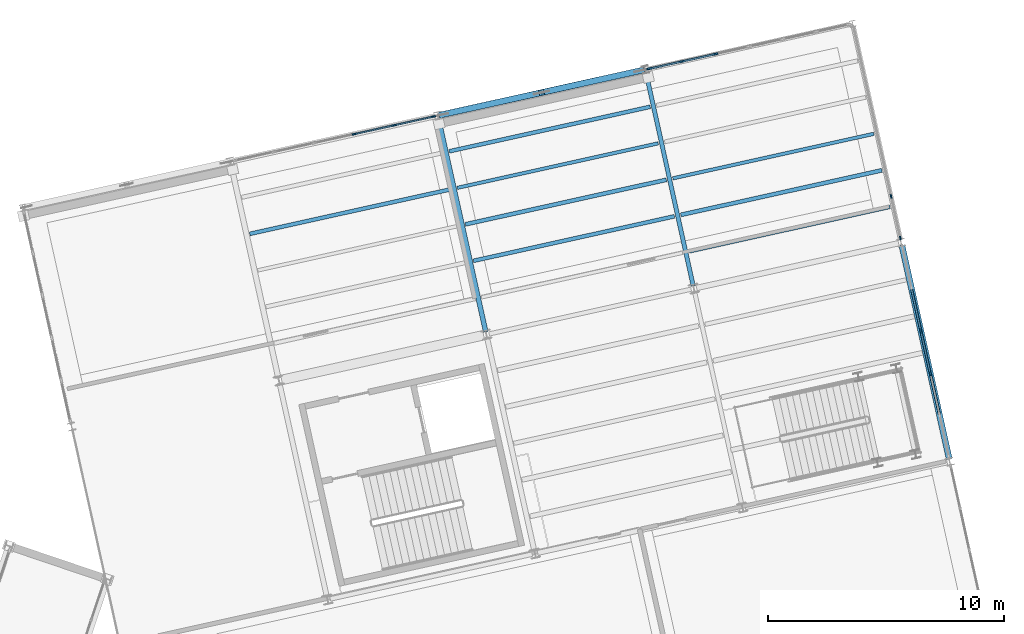
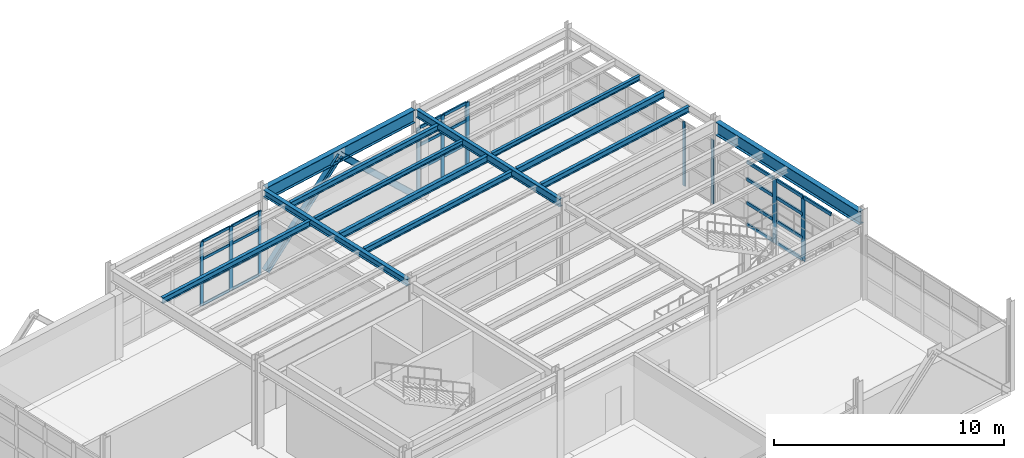
# One storey, part 57 of 102: 37 members, 12 beams, 4 elements without a shape of their own.
"""IFC4 building model written with IfcOpenShell, lengths in metres."""

from ifc_helpers import new_model, si_unit, direction, frame, origin, origin_2d, place, context, subcontext, project, spatial, rectangle, i_section, extrude, material, layer, layer_set, material_profile, profile_set, type_object, element, aggregate, save


model = new_model("IFC4")

# Units and contexts
model_context = context("Model", 3, precision=1e-05, world=origin(), true_north=direction((0.0, 1.0)))
body_context = subcontext(model_context, "Body", "Model", "MODEL_VIEW")
ifc_project = project(units=[si_unit("LENGTHUNIT", "METRE"), si_unit("AREAUNIT", "SQUARE_METRE"), si_unit("VOLUMEUNIT", "CUBIC_METRE"), si_unit("PLANEANGLEUNIT", "RADIAN"), si_unit("MASSUNIT", "GRAM", prefix="KILO")], contexts=[model_context])

# Site, building, storey
site_placement = place(None, origin())
site = spatial("IfcSite", under=ifc_project, at=site_placement, CompositionType="ELEMENT")
building_placement = place(site_placement, origin())
building = spatial("IfcBuilding", under=site, at=building_placement, Name="Vireo Bluff Cable Station", CompositionType="ELEMENT")
storey_placement = place(building_placement, frame((0.0, 0.0, 9.60009765625)))
storey = spatial("IfcBuildingStorey", under=building, at=storey_placement, Name="L02", CompositionType="ELEMENT", Elevation=9.60009765625)

# Beams
ifc_material_1 = material(Name="Steel ASTM A992 Gr. 50", Category="steel")
ifc_material_profile_1 = material_profile(ifc_material_1, i_section(OverallWidth=0.2041015625, OverallDepth=0.35009765625, WebThickness=0.008544921875, FlangeThickness=0.01513671875, FilletRadius=0.010009765625, at=origin_2d()), Name="W14X48")
ifc_profile_set_1 = profile_set([ifc_material_profile_1], Name="Steel ASTM A992 Gr. 50")
beam_type_1 = type_object("IfcBeamType", Name="BM-W14X48", PredefinedType="BEAM", material=ifc_profile_set_1)
beam_1_placement = place(storey_placement, frame((139.43505859375, 96.562744140625, 4.364990234375), z_axis=(-0.216455863908, 0.976292404447, 0.0), x_axis=(-0.976292404447, -0.216455863908, 0.0)))
element("IfcBeam", 1, at=beam_1_placement, inside=storey, type_object=beam_type_1, Name="V2 L02 beam 536", PredefinedType="BEAM", context=body_context, shape_type="SweptSolid", body=[
    extrude(i_section(OverallWidth=0.2041015625, OverallDepth=0.35009765625, WebThickness=0.008544921875, FlangeThickness=0.01513671875, FilletRadius=0.010009765625, at=origin_2d()), origin(), (0.0, 0.0, 1.0), 9.260009765625),
])
ifc_material_profile_2 = material_profile(ifc_material_1, i_section(OverallWidth=0.180908203125, OverallDepth=0.4169921875, WebThickness=0.010986328125, FlangeThickness=0.018310546875, FilletRadius=0.010009765625, at=origin_2d()), Name="W16X57")
ifc_profile_set_2 = profile_set([ifc_material_profile_2], Name="Steel ASTM A992 Gr. 50")
beam_type_2 = type_object("IfcBeamType", Name="BM-W16X57", PredefinedType="BEAM", material=ifc_profile_set_2)
beam_2_placement = place(storey_placement, frame((148.2216796875, 98.5107421875, 4.331298828125), z_axis=(-0.216430734067, 0.976297975698, 0.0), x_axis=(-0.976297975698, -0.216430734067, 0.0)))
element("IfcBeam", 2, at=beam_2_placement, inside=storey, type_object=beam_type_2, Name="V2 L02 beam 538", PredefinedType="BEAM", context=body_context, shape_type="SweptSolid", body=[
    extrude(i_section(OverallWidth=0.180908203125, OverallDepth=0.4169921875, WebThickness=0.010986328125, FlangeThickness=0.018310546875, FilletRadius=0.010009765625, at=origin_2d()), origin(), (0.0, 0.0, 1.0), 9.260009765625),
])

# Members
ifc_material_profile_3 = material_profile(ifc_material_1, i_section(OverallWidth=0.25390625, OverallDepth=0.305908203125, WebThickness=0.0087890625, FlangeThickness=0.0146484375, FilletRadius=0.010986328125, at=origin_2d()), Name="W12X53")
ifc_profile_set_3 = profile_set([ifc_material_profile_3], Name="Steel ASTM A992 Gr. 50")
member_type_1 = type_object("IfcMemberType", Name="BRC-04", PredefinedType="BRACE", material=ifc_profile_set_3)
member_1_placement = place(storey_placement, frame((137.56103515625, 105.7548828125, 0.039794921875), z_axis=(0.706412402312, 0.156627768603, 0.690253040531), x_axis=(-0.216465840429, 0.976290192477, 0.0)))
element("IfcMember", 3, at=member_1_placement, inside=storey, type_object=member_type_1, Name="V2 L02 concentric brace 39L", PredefinedType="BRACE", context=body_context, shape_type="SweptSolid", body=[
    extrude(i_section(OverallWidth=0.25390625, OverallDepth=0.305908203125, WebThickness=0.0087890625, FlangeThickness=0.0146484375, FilletRadius=0.010986328125, at=origin_2d()), origin(), (0.0, 0.0, 1.0), 5.998046875),
])
ifc_material_profile_4 = material_profile(ifc_material_1, i_section(OverallWidth=0.25390625, OverallDepth=0.31005859375, WebThickness=0.009033203125, FlangeThickness=0.016357421875, FilletRadius=0.010986328125, at=origin_2d()), Name="W12X58")
ifc_profile_set_4 = profile_set([ifc_material_profile_4], Name="Steel ASTM A992 Gr. 50")
member_type_2 = type_object("IfcMemberType", Name="BRC-05", PredefinedType="BRACE", material=ifc_profile_set_4)
member_2_placement = place(storey_placement, frame((146.03515625, 107.6337890625, 0.039794921875), z_axis=(-0.706412402312, -0.156627768603, 0.690253040531), x_axis=(0.216465840429, -0.976290192477, 0.0)))
element("IfcMember", 4, at=member_2_placement, inside=storey, type_object=member_type_2, Name="V2 L02 concentric brace 40R", PredefinedType="BRACE", context=body_context, shape_type="SweptSolid", body=[
    extrude(i_section(OverallWidth=0.25390625, OverallDepth=0.31005859375, WebThickness=0.009033203125, FlangeThickness=0.016357421875, FilletRadius=0.010986328125, at=origin_2d()), origin(), (0.0, 0.0, 1.0), 5.998046875),
])

# Curtain wall, members
ifc_material_2 = material(Name="Anodized Aluminium 6063-T6", Category="aluminium")
ifc_layer_1 = layer(ifc_material_2, 0.179931640625, Name="Anodized Aluminium 6063-T6")
ifc_layer_set_1 = layer_set([ifc_layer_1], Name="Anodized Aluminium 6063-T6")
curtain_wall_type_1 = type_object("IfcCurtainWallType", Name="CW-UNIT-1650", PredefinedType="USERDEFINED", material=ifc_layer_set_1)
curtain_wall_1_placement = place(storey_placement, origin())
curtain_wall_1 = element("IfcCurtainWall", 5, at=curtain_wall_1_placement, inside=storey, type_object=curtain_wall_type_1, Name="V2 L02 north curtain wall CW-056", ObjectType="UNITISED CURTAIN WALL", PredefinedType="USERDEFINED")
ifc_material_profile_5 = material_profile(ifc_material_2, rectangle(XDim=0.06494140625, YDim=0.179931640625, at=origin_2d()), Name="ALU-M-65X180")
ifc_profile_set_5 = profile_set([ifc_material_profile_5], Name="Anodized Aluminium 6063-T6")
member_type_3 = type_object("IfcMemberType", Name="CWM-01", PredefinedType="MULLION", material=ifc_profile_set_5)
member_3_placement = place(storey_placement, frame((133.8603515625, 104.9345703125, 0.0), z_axis=(0.0, 0.0, 1.0), x_axis=(-0.216439604447, 0.976296009224, 0.0)))
member_3 = element("IfcMember", 6, at=member_3_placement, type_object=member_type_3, Name="CW-056 mullion 4", PredefinedType="MULLION", context=body_context, shape_type="SweptSolid", body=[
    extrude(rectangle(XDim=0.06494140625, YDim=0.179931640625, at=origin_2d()), origin(), (0.0, 0.0, 1.0), 3.39990234375),
])
member_4_placement = place(storey_placement, frame((135.55615234375, 105.310546875, 0.0), z_axis=(0.0, 0.0, 1.0), x_axis=(-0.216439604447, 0.976296009224, 0.0)))
member_4 = element("IfcMember", 7, at=member_4_placement, type_object=member_type_3, Name="CW-056 mullion 5", PredefinedType="MULLION", context=body_context, shape_type="SweptSolid", body=[
    extrude(rectangle(XDim=0.06494140625, YDim=0.179931640625, at=origin_2d()), origin(), (0.0, 0.0, 1.0), 3.39990234375),
])
member_5_placement = place(storey_placement, frame((137.22021484375, 105.679443359375, 0.0), z_axis=(0.0, 0.0, 1.0), x_axis=(-0.216439604447, 0.976296009224, 0.0)))
member_5 = element("IfcMember", 8, at=member_5_placement, type_object=member_type_3, Name="CW-056 mullion 6", PredefinedType="MULLION", context=body_context, shape_type="SweptSolid", body=[
    extrude(rectangle(XDim=0.06494140625, YDim=0.179931640625, at=origin_2d()), origin(), (0.0, 0.0, 1.0), 3.39990234375),
])

ifc_layer_2 = layer(ifc_material_2, 0.179931640625, Name="Anodized Aluminium 6063-T6")
ifc_layer_set_2 = layer_set([ifc_layer_2], Name="Anodized Aluminium 6063-T6")
curtain_wall_type_2 = type_object("IfcCurtainWallType", Name="CW-UNIT-1400", PredefinedType="USERDEFINED", material=ifc_layer_set_2)
curtain_wall_2_placement = place(storey_placement, origin())
curtain_wall_2 = element("IfcCurtainWall", 9, at=curtain_wall_2_placement, inside=storey, type_object=curtain_wall_type_2, Name="V2 L02 north curtain wall CW-057", ObjectType="UNITISED CURTAIN WALL", PredefinedType="USERDEFINED")
ifc_material_profile_6 = material_profile(ifc_material_2, rectangle(XDim=0.074951171875, YDim=0.2099609375, at=origin_2d()), Name="ALU-M-75X210")
ifc_profile_set_6 = profile_set([ifc_material_profile_6], Name="Anodized Aluminium 6063-T6")
member_type_4 = type_object("IfcMemberType", Name="CWM-02", PredefinedType="MULLION", material=ifc_profile_set_6)
member_6_placement = place(storey_placement, frame((146.35400390625, 107.704345703125, 0.0), z_axis=(0.0, 0.0, 1.0), x_axis=(-0.216439615489, 0.976296006776, 0.0)))
member_6 = element("IfcMember", 10, at=member_6_placement, type_object=member_type_4, Name="CW-057 mullion 1", PredefinedType="MULLION", context=body_context, shape_type="SweptSolid", body=[
    extrude(rectangle(XDim=0.074951171875, YDim=0.2099609375, at=origin_2d()), origin(), (0.0, 0.0, 1.0), 3.39990234375),
])
member_7_placement = place(storey_placement, frame((147.73974609375, 108.011474609375, 0.0), z_axis=(0.0, 0.0, 1.0), x_axis=(-0.216439615489, 0.976296006776, 0.0)))
member_7 = element("IfcMember", 11, at=member_7_placement, type_object=member_type_4, Name="CW-057 mullion 2", PredefinedType="MULLION", context=body_context, shape_type="SweptSolid", body=[
    extrude(rectangle(XDim=0.074951171875, YDim=0.2099609375, at=origin_2d()), origin(), (0.0, 0.0, 1.0), 3.39990234375),
])
member_8_placement = place(storey_placement, frame((149.162109375, 108.326904296875, 0.0), z_axis=(0.0, 0.0, 1.0), x_axis=(-0.216439615489, 0.976296006776, 0.0)))
member_8 = element("IfcMember", 12, at=member_8_placement, type_object=member_type_4, Name="CW-057 mullion 3", PredefinedType="MULLION", context=body_context, shape_type="SweptSolid", body=[
    extrude(rectangle(XDim=0.074951171875, YDim=0.2099609375, at=origin_2d()), origin(), (0.0, 0.0, 1.0), 3.39990234375),
])

ifc_layer_3 = layer(ifc_material_2, 0.159912109375, Name="Anodized Aluminium 6063-T6")
ifc_layer_set_3 = layer_set([ifc_layer_3], Name="Anodized Aluminium 6063-T6")
curtain_wall_type_3 = type_object("IfcCurtainWallType", Name="CW-STICK-1750", PredefinedType="USERDEFINED", material=ifc_layer_set_3)
curtain_wall_3_placement = place(storey_placement, origin())
curtain_wall_3 = element("IfcCurtainWall", 13, at=curtain_wall_3_placement, inside=storey, type_object=curtain_wall_type_3, Name="V2 L02 east curtain wall CW-058", ObjectType="STICK CURTAIN WALL", PredefinedType="USERDEFINED")
ifc_material_profile_7 = material_profile(ifc_material_2, rectangle(XDim=0.06005859375, YDim=0.159912109375, at=origin_2d()), Name="ALU-M-60X160")
ifc_profile_set_7 = profile_set([ifc_material_profile_7], Name="Anodized Aluminium 6063-T6")
member_type_5 = type_object("IfcMemberType", Name="CWM-03", PredefinedType="MULLION", material=ifc_profile_set_7)
member_9_placement = place(storey_placement, frame((156.600341796875, 102.298828125, 0.0), z_axis=(0.0, 0.0, 1.0), x_axis=(0.976295990219, 0.216439690173, 0.0)))
member_9 = element("IfcMember", 14, at=member_9_placement, type_object=member_type_5, Name="CW-058 mullion 5", PredefinedType="MULLION", context=body_context, shape_type="SweptSolid", body=[
    extrude(rectangle(XDim=0.06005859375, YDim=0.159912109375, at=origin_2d()), origin(), (0.0, 0.0, 1.0), 3.39990234375),
])
member_10_placement = place(storey_placement, frame((156.992431640625, 100.5302734375, 0.0), z_axis=(0.0, 0.0, 1.0), x_axis=(0.976295990219, 0.216439690173, 0.0)))
member_10 = element("IfcMember", 15, at=member_10_placement, type_object=member_type_5, Name="CW-058 mullion 6", PredefinedType="MULLION", context=body_context, shape_type="SweptSolid", body=[
    extrude(rectangle(XDim=0.06005859375, YDim=0.159912109375, at=origin_2d()), origin(), (0.0, 0.0, 1.0), 3.39990234375),
])
aggregate(curtain_wall_3, [member_9, member_10])

ifc_layer_4 = layer(ifc_material_2, 0.159912109375, Name="Anodized Aluminium 6063-T6")
ifc_layer_set_4 = layer_set([ifc_layer_4], Name="Anodized Aluminium 6063-T6")
curtain_wall_type_4 = type_object("IfcCurtainWallType", Name="CW-STICK-1850", PredefinedType="USERDEFINED", material=ifc_layer_set_4)
curtain_wall_4_placement = place(storey_placement, origin())
curtain_wall_4 = element("IfcCurtainWall", 16, at=curtain_wall_4_placement, inside=storey, type_object=curtain_wall_type_4, Name="V2 L02 east curtain wall CW-059", ObjectType="STICK CURTAIN WALL", PredefinedType="USERDEFINED")
ifc_material_profile_8 = material_profile(ifc_material_2, rectangle(XDim=0.080078125, YDim=0.239990234375, at=origin_2d()), Name="ALU-M-80X240")
ifc_profile_set_8 = profile_set([ifc_material_profile_8], Name="Anodized Aluminium 6063-T6")
member_type_6 = type_object("IfcMemberType", Name="CWM-04", PredefinedType="MULLION", material=ifc_profile_set_8)
member_11_placement = place(storey_placement, frame((157.86376953125, 96.599609375, 0.0), z_axis=(0.0, 0.0, 1.0), x_axis=(0.976295996018, 0.216439664017, 0.0)))
member_11 = element("IfcMember", 17, at=member_11_placement, type_object=member_type_6, Name="CW-059 mullion 3", PredefinedType="MULLION", context=body_context, shape_type="SweptSolid", body=[
    extrude(rectangle(XDim=0.080078125, YDim=0.239990234375, at=origin_2d()), origin(), (0.0, 0.0, 1.0), 3.39990234375),
])
member_12_placement = place(storey_placement, frame((158.260986328125, 94.80859375, 0.0), z_axis=(0.0, 0.0, 1.0), x_axis=(0.976295996018, 0.216439664017, 0.0)))
member_12 = element("IfcMember", 18, at=member_12_placement, type_object=member_type_6, Name="CW-059 mullion 4", PredefinedType="MULLION", context=body_context, shape_type="SweptSolid", body=[
    extrude(rectangle(XDim=0.080078125, YDim=0.239990234375, at=origin_2d()), origin(), (0.0, 0.0, 1.0), 3.39990234375),
])

# Member
ifc_material_profile_9 = material_profile(ifc_material_2, rectangle(XDim=0.06494140625, YDim=0.139892578125, at=origin_2d()), Name="ALU-T-65X140")
ifc_profile_set_9 = profile_set([ifc_material_profile_9], Name="Anodized Aluminium 6063-T6")
member_type_7 = type_object("IfcMemberType", Name="CWT-01", PredefinedType="USERDEFINED", material=ifc_profile_set_9)
member_13_placement = place(storey_placement, frame((133.89208984375, 104.941650390625, 0.032470703125), z_axis=(0.976303736321, 0.216404746818, 0.0), x_axis=(-0.216404746818, 0.976303736321, 0.0)))
member_13 = element("IfcMember", 19, at=member_13_placement, type_object=member_type_7, Name="CW-056 transom 4.1", ObjectType="TRANSOM", PredefinedType="USERDEFINED", context=body_context, shape_type="SweptSolid", body=[
    extrude(rectangle(XDim=0.06494140625, YDim=0.139892578125, at=origin_2d()), origin(), (0.0, 0.0, 1.0), 1.671875),
])

member_14_placement = place(storey_placement, frame((133.89208984375, 104.941650390625, 1.18994140625), z_axis=(0.976303736321, 0.216404746818, 0.0), x_axis=(-0.216404746818, 0.976303736321, 0.0)))
member_14 = element("IfcMember", 20, at=member_14_placement, type_object=member_type_7, Name="CW-056 transom 4.2", ObjectType="TRANSOM", PredefinedType="USERDEFINED", context=body_context, shape_type="SweptSolid", body=[
    extrude(rectangle(XDim=0.06494140625, YDim=0.139892578125, at=origin_2d()), origin(), (0.0, 0.0, 1.0), 1.671875),
])

member_15_placement = place(storey_placement, frame((133.89208984375, 104.941650390625, 2.447998046875), z_axis=(0.976303736321, 0.216404746818, 0.0), x_axis=(-0.216404746818, 0.976303736321, 0.0)))
member_15 = element("IfcMember", 21, at=member_15_placement, type_object=member_type_7, Name="CW-056 transom 4.3", ObjectType="TRANSOM", PredefinedType="USERDEFINED", context=body_context, shape_type="SweptSolid", body=[
    extrude(rectangle(XDim=0.06494140625, YDim=0.139892578125, at=origin_2d()), origin(), (0.0, 0.0, 1.0), 1.671875),
])

member_16_placement = place(storey_placement, frame((133.89208984375, 104.941650390625, 3.367431640625), z_axis=(0.976303736321, 0.216404746818, 0.0), x_axis=(-0.216404746818, 0.976303736321, 0.0)))
member_16 = element("IfcMember", 22, at=member_16_placement, type_object=member_type_7, Name="CW-056 transom 4.4", ObjectType="TRANSOM", PredefinedType="USERDEFINED", context=body_context, shape_type="SweptSolid", body=[
    extrude(rectangle(XDim=0.06494140625, YDim=0.139892578125, at=origin_2d()), origin(), (0.0, 0.0, 1.0), 1.671875),
])

member_17_placement = place(storey_placement, frame((135.587890625, 105.317626953125, 0.032470703125), z_axis=(0.976309542933, 0.216378548792, 0.0), x_axis=(-0.216378548792, 0.976309542933, 0.0)))
member_17 = element("IfcMember", 23, at=member_17_placement, type_object=member_type_7, Name="CW-056 transom 5.1", ObjectType="TRANSOM", PredefinedType="USERDEFINED", context=body_context, shape_type="SweptSolid", body=[
    extrude(rectangle(XDim=0.06494140625, YDim=0.139892578125, at=origin_2d()), origin(), (0.0, 0.0, 1.0), 1.639404296875),
])

member_18_placement = place(storey_placement, frame((135.587890625, 105.317626953125, 1.18994140625), z_axis=(0.976309542933, 0.216378548792, 0.0), x_axis=(-0.216378548792, 0.976309542933, 0.0)))
member_18 = element("IfcMember", 24, at=member_18_placement, type_object=member_type_7, Name="CW-056 transom 5.2", ObjectType="TRANSOM", PredefinedType="USERDEFINED", context=body_context, shape_type="SweptSolid", body=[
    extrude(rectangle(XDim=0.06494140625, YDim=0.139892578125, at=origin_2d()), origin(), (0.0, 0.0, 1.0), 1.639404296875),
])

member_19_placement = place(storey_placement, frame((135.587890625, 105.317626953125, 2.447998046875), z_axis=(0.976309542933, 0.216378548792, 0.0), x_axis=(-0.216378548792, 0.976309542933, 0.0)))
member_19 = element("IfcMember", 25, at=member_19_placement, type_object=member_type_7, Name="CW-056 transom 5.3", ObjectType="TRANSOM", PredefinedType="USERDEFINED", context=body_context, shape_type="SweptSolid", body=[
    extrude(rectangle(XDim=0.06494140625, YDim=0.139892578125, at=origin_2d()), origin(), (0.0, 0.0, 1.0), 1.639404296875),
])

member_20_placement = place(storey_placement, frame((135.587890625, 105.317626953125, 3.367431640625), z_axis=(0.976309542933, 0.216378548792, 0.0), x_axis=(-0.216378548792, 0.976309542933, 0.0)))
member_20 = element("IfcMember", 26, at=member_20_placement, type_object=member_type_7, Name="CW-056 transom 5.4", ObjectType="TRANSOM", PredefinedType="USERDEFINED", context=body_context, shape_type="SweptSolid", body=[
    extrude(rectangle(XDim=0.06494140625, YDim=0.139892578125, at=origin_2d()), origin(), (0.0, 0.0, 1.0), 1.639404296875),
])

aggregate(curtain_wall_1, [member_3, member_4, member_5, member_13, member_14, member_15, member_16, member_17, member_18, member_19, member_20])

ifc_material_profile_10 = material_profile(ifc_material_2, rectangle(XDim=0.074951171875, YDim=0.159912109375, at=origin_2d()), Name="ALU-T-75X160")
ifc_profile_set_10 = profile_set([ifc_material_profile_10], Name="Anodized Aluminium 6063-T6")
member_type_8 = type_object("IfcMemberType", Name="CWT-02", PredefinedType="USERDEFINED", material=ifc_profile_set_10)
member_21_placement = place(storey_placement, frame((146.390625, 107.71240234375, 0.037353515625), z_axis=(0.976289502522, 0.216468952196, 0.0), x_axis=(-0.216468952196, 0.976289502522, 0.0)))
member_21 = element("IfcMember", 27, at=member_21_placement, type_object=member_type_8, Name="CW-057 transom 1.1", ObjectType="TRANSOM", PredefinedType="USERDEFINED", context=body_context, shape_type="SweptSolid", body=[
    extrude(rectangle(XDim=0.074951171875, YDim=0.159912109375, at=origin_2d()), origin(), (0.0, 0.0, 1.0), 1.344482421875),
])

member_22_placement = place(storey_placement, frame((146.390625, 107.71240234375, 1.18994140625), z_axis=(0.976289502522, 0.216468952196, 0.0), x_axis=(-0.216468952196, 0.976289502522, 0.0)))
member_22 = element("IfcMember", 28, at=member_22_placement, type_object=member_type_8, Name="CW-057 transom 1.2", ObjectType="TRANSOM", PredefinedType="USERDEFINED", context=body_context, shape_type="SweptSolid", body=[
    extrude(rectangle(XDim=0.074951171875, YDim=0.159912109375, at=origin_2d()), origin(), (0.0, 0.0, 1.0), 1.344482421875),
])

member_23_placement = place(storey_placement, frame((146.390625, 107.71240234375, 2.447998046875), z_axis=(0.976289502522, 0.216468952196, 0.0), x_axis=(-0.216468952196, 0.976289502522, 0.0)))
member_23 = element("IfcMember", 29, at=member_23_placement, type_object=member_type_8, Name="CW-057 transom 1.3", ObjectType="TRANSOM", PredefinedType="USERDEFINED", context=body_context, shape_type="SweptSolid", body=[
    extrude(rectangle(XDim=0.074951171875, YDim=0.159912109375, at=origin_2d()), origin(), (0.0, 0.0, 1.0), 1.344482421875),
])

member_24_placement = place(storey_placement, frame((146.390625, 107.71240234375, 3.3623046875), z_axis=(0.976289502522, 0.216468952196, 0.0), x_axis=(-0.216468952196, 0.976289502522, 0.0)))
member_24 = element("IfcMember", 30, at=member_24_placement, type_object=member_type_8, Name="CW-057 transom 1.4", ObjectType="TRANSOM", PredefinedType="USERDEFINED", context=body_context, shape_type="SweptSolid", body=[
    extrude(rectangle(XDim=0.074951171875, YDim=0.159912109375, at=origin_2d()), origin(), (0.0, 0.0, 1.0), 1.344482421875),
])

member_25_placement = place(storey_placement, frame((147.7763671875, 108.019775390625, 0.037353515625), z_axis=(0.976299169317, 0.216425349695, 0.0), x_axis=(-0.216425349695, 0.976299169317, 0.0)))
member_25 = element("IfcMember", 31, at=member_25_placement, type_object=member_type_8, Name="CW-057 transom 2.1", ObjectType="TRANSOM", PredefinedType="USERDEFINED", context=body_context, shape_type="SweptSolid", body=[
    extrude(rectangle(XDim=0.074951171875, YDim=0.159912109375, at=origin_2d()), origin(), (0.0, 0.0, 1.0), 1.3818359375),
])

member_26_placement = place(storey_placement, frame((147.7763671875, 108.019775390625, 1.18994140625), z_axis=(0.976299169317, 0.216425349695, 0.0), x_axis=(-0.216425349695, 0.976299169317, 0.0)))
member_26 = element("IfcMember", 32, at=member_26_placement, type_object=member_type_8, Name="CW-057 transom 2.2", ObjectType="TRANSOM", PredefinedType="USERDEFINED", context=body_context, shape_type="SweptSolid", body=[
    extrude(rectangle(XDim=0.074951171875, YDim=0.159912109375, at=origin_2d()), origin(), (0.0, 0.0, 1.0), 1.3818359375),
])

member_27_placement = place(storey_placement, frame((147.7763671875, 108.019775390625, 2.447998046875), z_axis=(0.976299169317, 0.216425349695, 0.0), x_axis=(-0.216425349695, 0.976299169317, 0.0)))
member_27 = element("IfcMember", 33, at=member_27_placement, type_object=member_type_8, Name="CW-057 transom 2.3", ObjectType="TRANSOM", PredefinedType="USERDEFINED", context=body_context, shape_type="SweptSolid", body=[
    extrude(rectangle(XDim=0.074951171875, YDim=0.159912109375, at=origin_2d()), origin(), (0.0, 0.0, 1.0), 1.3818359375),
])

member_28_placement = place(storey_placement, frame((147.7763671875, 108.019775390625, 3.3623046875), z_axis=(0.976299169317, 0.216425349695, 0.0), x_axis=(-0.216425349695, 0.976299169317, 0.0)))
member_28 = element("IfcMember", 34, at=member_28_placement, type_object=member_type_8, Name="CW-057 transom 2.4", ObjectType="TRANSOM", PredefinedType="USERDEFINED", context=body_context, shape_type="SweptSolid", body=[
    extrude(rectangle(XDim=0.074951171875, YDim=0.159912109375, at=origin_2d()), origin(), (0.0, 0.0, 1.0), 1.3818359375),
])

aggregate(curtain_wall_2, [member_6, member_7, member_8, member_21, member_22, member_23, member_24, member_25, member_26, member_27, member_28])

ifc_material_profile_11 = material_profile(ifc_material_2, rectangle(XDim=0.080078125, YDim=0.175048828125, at=origin_2d()), Name="ALU-T-80X175")
ifc_profile_set_11 = profile_set([ifc_material_profile_11], Name="Anodized Aluminium 6063-T6")
member_type_9 = type_object("IfcMemberType", Name="CWT-04", PredefinedType="USERDEFINED", material=ifc_profile_set_11)
member_29_placement = place(storey_placement, frame((157.475341796875, 98.3515625, 0.039794921875), z_axis=(0.216517898674, -0.976278648519, 0.0), x_axis=(0.976278648519, 0.216517898674, 0.0)))
member_29 = element("IfcMember", 35, at=member_29_placement, type_object=member_type_9, Name="CW-059 transom 2.1", ObjectType="TRANSOM", PredefinedType="USERDEFINED", context=body_context, shape_type="SweptSolid", body=[
    extrude(rectangle(XDim=0.080078125, YDim=0.175048828125, at=origin_2d()), origin(), (0.0, 0.0, 1.0), 1.75439453125),
])

member_30_placement = place(storey_placement, frame((157.475341796875, 98.3515625, 1.18994140625), z_axis=(0.216517898674, -0.976278648519, 0.0), x_axis=(0.976278648519, 0.216517898674, 0.0)))
member_30 = element("IfcMember", 36, at=member_30_placement, type_object=member_type_9, Name="CW-059 transom 2.2", ObjectType="TRANSOM", PredefinedType="USERDEFINED", context=body_context, shape_type="SweptSolid", body=[
    extrude(rectangle(XDim=0.080078125, YDim=0.175048828125, at=origin_2d()), origin(), (0.0, 0.0, 1.0), 1.75439453125),
])

member_31_placement = place(storey_placement, frame((157.475341796875, 98.3515625, 2.447998046875), z_axis=(0.216517898674, -0.976278648519, 0.0), x_axis=(0.976278648519, 0.216517898674, 0.0)))
member_31 = element("IfcMember", 37, at=member_31_placement, type_object=member_type_9, Name="CW-059 transom 2.3", ObjectType="TRANSOM", PredefinedType="USERDEFINED", context=body_context, shape_type="SweptSolid", body=[
    extrude(rectangle(XDim=0.080078125, YDim=0.175048828125, at=origin_2d()), origin(), (0.0, 0.0, 1.0), 1.75439453125),
])

member_32_placement = place(storey_placement, frame((157.475341796875, 98.3515625, 3.35986328125), z_axis=(0.216517898674, -0.976278648519, 0.0), x_axis=(0.976278648519, 0.216517898674, 0.0)))
member_32 = element("IfcMember", 38, at=member_32_placement, type_object=member_type_9, Name="CW-059 transom 2.4", ObjectType="TRANSOM", PredefinedType="USERDEFINED", context=body_context, shape_type="SweptSolid", body=[
    extrude(rectangle(XDim=0.080078125, YDim=0.175048828125, at=origin_2d()), origin(), (0.0, 0.0, 1.0), 1.75439453125),
])

member_33_placement = place(storey_placement, frame((157.87255859375, 96.560546875, 0.039794921875), z_axis=(0.216385265728, -0.976308054241, 0.0), x_axis=(0.976308054241, 0.216385265728, 0.0)))
member_33 = element("IfcMember", 39, at=member_33_placement, type_object=member_type_9, Name="CW-059 transom 3.1", ObjectType="TRANSOM", PredefinedType="USERDEFINED", context=body_context, shape_type="SweptSolid", body=[
    extrude(rectangle(XDim=0.080078125, YDim=0.175048828125, at=origin_2d()), origin(), (0.0, 0.0, 1.0), 1.75439453125),
])

member_34_placement = place(storey_placement, frame((157.87255859375, 96.560546875, 1.18994140625), z_axis=(0.216385265728, -0.976308054241, 0.0), x_axis=(0.976308054241, 0.216385265728, 0.0)))
member_34 = element("IfcMember", 40, at=member_34_placement, type_object=member_type_9, Name="CW-059 transom 3.2", ObjectType="TRANSOM", PredefinedType="USERDEFINED", context=body_context, shape_type="SweptSolid", body=[
    extrude(rectangle(XDim=0.080078125, YDim=0.175048828125, at=origin_2d()), origin(), (0.0, 0.0, 1.0), 1.75439453125),
])

member_35_placement = place(storey_placement, frame((157.87255859375, 96.560546875, 2.447998046875), z_axis=(0.216385265728, -0.976308054241, 0.0), x_axis=(0.976308054241, 0.216385265728, 0.0)))
member_35 = element("IfcMember", 41, at=member_35_placement, type_object=member_type_9, Name="CW-059 transom 3.3", ObjectType="TRANSOM", PredefinedType="USERDEFINED", context=body_context, shape_type="SweptSolid", body=[
    extrude(rectangle(XDim=0.080078125, YDim=0.175048828125, at=origin_2d()), origin(), (0.0, 0.0, 1.0), 1.75439453125),
])

member_36_placement = place(storey_placement, frame((157.87255859375, 96.560546875, 3.35986328125), z_axis=(0.216385265728, -0.976308054241, 0.0), x_axis=(0.976308054241, 0.216385265728, 0.0)))
member_36 = element("IfcMember", 42, at=member_36_placement, type_object=member_type_9, Name="CW-059 transom 3.4", ObjectType="TRANSOM", PredefinedType="USERDEFINED", context=body_context, shape_type="SweptSolid", body=[
    extrude(rectangle(XDim=0.080078125, YDim=0.175048828125, at=origin_2d()), origin(), (0.0, 0.0, 1.0), 1.75439453125),
])

member_37_placement = place(storey_placement, frame((158.26953125, 94.76953125, 3.35986328125), z_axis=(0.216488488725, -0.976285170557, 0.0), x_axis=(0.976285170557, 0.216488488725, 0.0)))
member_37 = element("IfcMember", 43, at=member_37_placement, type_object=member_type_9, Name="CW-059 transom 4.4", ObjectType="TRANSOM", PredefinedType="USERDEFINED", context=body_context, shape_type="SweptSolid", body=[
    extrude(rectangle(XDim=0.080078125, YDim=0.175048828125, at=origin_2d()), origin(), (0.0, 0.0, 1.0), 1.754638671875),
])

aggregate(curtain_wall_4, [member_11, member_12, member_29, member_30, member_31, member_32, member_33, member_34, member_35, member_36, member_37])

# Beams
ifc_material_profile_12 = material_profile(ifc_material_1, i_section(OverallWidth=0.14599609375, OverallDepth=0.259033203125, WebThickness=0.006103515625, FlangeThickness=0.009033203125, FilletRadius=0.009033203125, at=origin_2d()), Name="W10X22")
ifc_profile_set_12 = profile_set([ifc_material_profile_12], Name="Steel ASTM A992 Gr. 50")
beam_type_3 = type_object("IfcBeamType", Name="JST-W10X22", PredefinedType="JOIST", material=ifc_profile_set_12)
beam_3_placement = place(storey_placement, frame((138.226806640625, 102.658935546875, 4.410400390625), z_axis=(0.976294318526, 0.216447230551, 0.0), x_axis=(-0.216447230551, 0.976294318526, 0.0)))
element("IfcBeam", 44, at=beam_3_placement, inside=storey, type_object=beam_type_3, Name="V2 L02 composite joist 554", PredefinedType="JOIST", context=body_context, shape_type="SweptSolid", body=[
    extrude(i_section(OverallWidth=0.14599609375, OverallDepth=0.259033203125, WebThickness=0.006103515625, FlangeThickness=0.009033203125, FilletRadius=0.009033203125, at=origin_2d()), origin(), (0.0, 0.0, 1.0), 8.72021484375),
])
beam_4_placement = place(storey_placement, frame((147.356201171875, 103.061279296875, 4.410400390625), z_axis=(0.976300234484, 0.216420544652, 0.0), x_axis=(-0.216420544652, 0.976300234484, 0.0)))
element("IfcBeam", 45, at=beam_4_placement, inside=storey, type_object=beam_type_3, Name="V2 L02 composite joist 561", PredefinedType="JOIST", context=body_context, shape_type="SweptSolid", body=[
    extrude(i_section(OverallWidth=0.14599609375, OverallDepth=0.259033203125, WebThickness=0.006103515625, FlangeThickness=0.009033203125, FilletRadius=0.009033203125, at=origin_2d()), origin(), (0.0, 0.0, 1.0), 8.719970703125),
])
ifc_material_profile_13 = material_profile(ifc_material_1, i_section(OverallWidth=0.1650390625, OverallDepth=0.31005859375, WebThickness=0.005859375, FlangeThickness=0.009765625, FilletRadius=0.010009765625, at=origin_2d()), Name="W12X26")
ifc_profile_set_13 = profile_set([ifc_material_profile_13], Name="Steel ASTM A992 Gr. 50")
beam_type_4 = type_object("IfcBeamType", Name="JST-W12X26", PredefinedType="JOIST", material=ifc_profile_set_13)
for number, where, z_axis, x_axis, name in (
    (46, (129.440185546875, 100.711181640625, 4.385009765625), (0.976300234484, 0.216420544652, 0.0), (-0.216420544652, 0.976300234484, 0.0), "V2 L02 composite joist 544"),
    (47, (138.912353515625, 99.5673828125, 4.385009765625), (0.976293006815, 0.216453146994, 0.0), (-0.216453146994, 0.976293006815, 0.0), "V2 L02 composite joist 552"),
    (48, (137.88427734375, 104.204833984375, 4.385009765625), (0.976293006815, 0.216453146994, 0.0), (-0.216453146994, 0.976293006815, 0.0), "V2 L02 composite joist 555"),
):
    element("IfcBeam", number, at=place(storey_placement, frame(where, z_axis=z_axis, x_axis=x_axis)), inside=storey, type_object=beam_type_4, Name=name, PredefinedType="JOIST", context=body_context, shape_type="SweptSolid", body=[
        extrude(i_section(OverallWidth=0.1650390625, OverallDepth=0.31005859375, WebThickness=0.005859375, FlangeThickness=0.009765625, FilletRadius=0.010009765625, at=origin_2d()), origin(), (0.0, 0.0, 1.0), 8.719970703125),
    ])
beam_5_placement = place(storey_placement, frame((148.04150390625, 99.969482421875, 4.385009765625), z_axis=(0.976294318526, 0.216447230551, 0.0), x_axis=(-0.216447230551, 0.976294318526, 0.0)))
element("IfcBeam", 49, at=beam_5_placement, inside=storey, type_object=beam_type_4, Name="V2 L02 composite joist 559", PredefinedType="JOIST", context=body_context, shape_type="SweptSolid", body=[
    extrude(i_section(OverallWidth=0.1650390625, OverallDepth=0.31005859375, WebThickness=0.005859375, FlangeThickness=0.009765625, FilletRadius=0.010009765625, at=origin_2d()), origin(), (0.0, 0.0, 1.0), 8.72021484375),
])
ifc_material_profile_14 = material_profile(ifc_material_1, i_section(OverallWidth=0.1708984375, OverallDepth=0.35107421875, WebThickness=0.0068359375, FlangeThickness=0.009765625, FilletRadius=0.010009765625, at=origin_2d()), Name="W14X30")
ifc_profile_set_14 = profile_set([ifc_material_profile_14], Name="Steel ASTM A992 Gr. 50")
beam_type_5 = type_object("IfcBeamType", Name="JST-W14X30", PredefinedType="JOIST", material=ifc_profile_set_14)
for number, where, z_axis, x_axis, name in (
    (50, (138.569580078125, 101.11328125, 4.364501953125), (0.976298923088, 0.216426460438, 0.0), (-0.216426460438, 0.976298923088, 0.0), "V2 L02 composite joist 553"),
    (51, (147.698974609375, 101.515380859375, 4.364501953125), (0.976293006815, 0.216453146994, 0.0), (-0.216453146994, 0.976293006815, 0.0), "V2 L02 composite joist 560"),
):
    element("IfcBeam", number, at=place(storey_placement, frame(where, z_axis=z_axis, x_axis=x_axis)), inside=storey, type_object=beam_type_5, Name=name, PredefinedType="JOIST", context=body_context, shape_type="SweptSolid", body=[
        extrude(i_section(OverallWidth=0.1708984375, OverallDepth=0.35107421875, WebThickness=0.0068359375, FlangeThickness=0.009765625, FilletRadius=0.010009765625, at=origin_2d()), origin(), (0.0, 0.0, 1.0), 8.719970703125),
    ])
ifc_material_profile_15 = material_profile(ifc_material_1, i_section(OverallWidth=0.257080078125, OverallDepth=0.693115234375, WebThickness=0.014404296875, FlangeThickness=0.023681640625, FilletRadius=0.014892578125, at=origin_2d()), Name="W27X114")
ifc_profile_set_15 = profile_set([ifc_material_profile_15], Name="Steel ASTM A992 Gr. 50")
beam_type_6 = type_object("IfcBeamType", Name="SPN-W27X114", PredefinedType="SPANDREL", material=ifc_profile_set_15)
beam_6_placement = place(storey_placement, frame((137.52197265625, 105.746337890625, 4.193359375), z_axis=(0.976295795297, 0.216440569406, 0.0), x_axis=(-0.216440569406, 0.976295795297, 0.0)))
element("IfcBeam", 52, at=beam_6_placement, inside=storey, type_object=beam_type_6, Name="V2 L02 spandrel 531", PredefinedType="SPANDREL", context=body_context, shape_type="SweptSolid", body=[
    extrude(i_section(OverallWidth=0.257080078125, OverallDepth=0.693115234375, WebThickness=0.014404296875, FlangeThickness=0.023681640625, FilletRadius=0.014892578125, at=origin_2d()), origin(), (0.0, 0.0, 1.0), 8.760009765625),
])
beam_7_placement = place(storey_placement, frame((159.064453125, 91.183837890625, 4.193359375), z_axis=(-0.216430734067, 0.976297975698, 0.0), x_axis=(-0.976297975698, -0.216430734067, 0.0)))
element("IfcBeam", 53, at=beam_7_placement, inside=storey, type_object=beam_type_6, Name="V2 L02 spandrel 539", PredefinedType="SPANDREL", context=body_context, shape_type="SweptSolid", body=[
    extrude(i_section(OverallWidth=0.257080078125, OverallDepth=0.693115234375, WebThickness=0.014404296875, FlangeThickness=0.023681640625, FilletRadius=0.014892578125, at=origin_2d()), origin(), (0.0, 0.0, 1.0), 9.260009765625),
])

save(model, "model.ifc")
